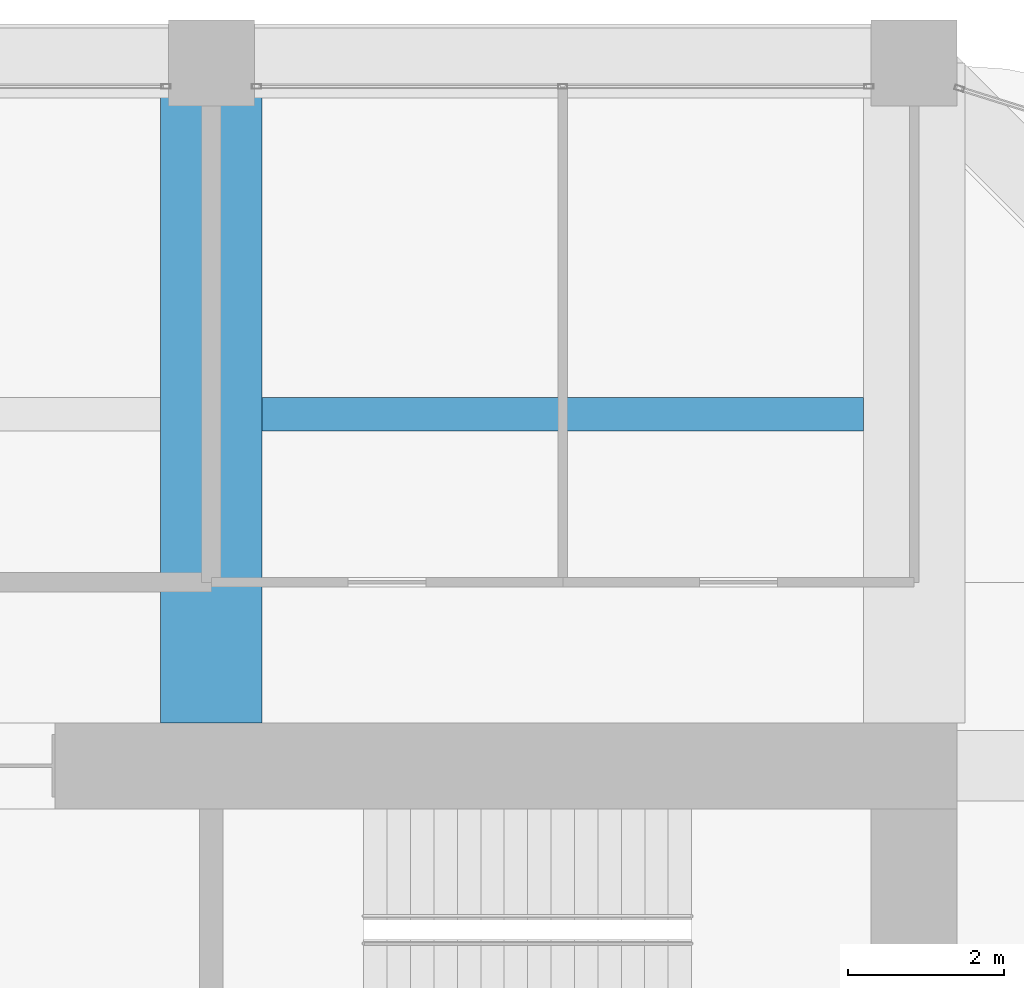
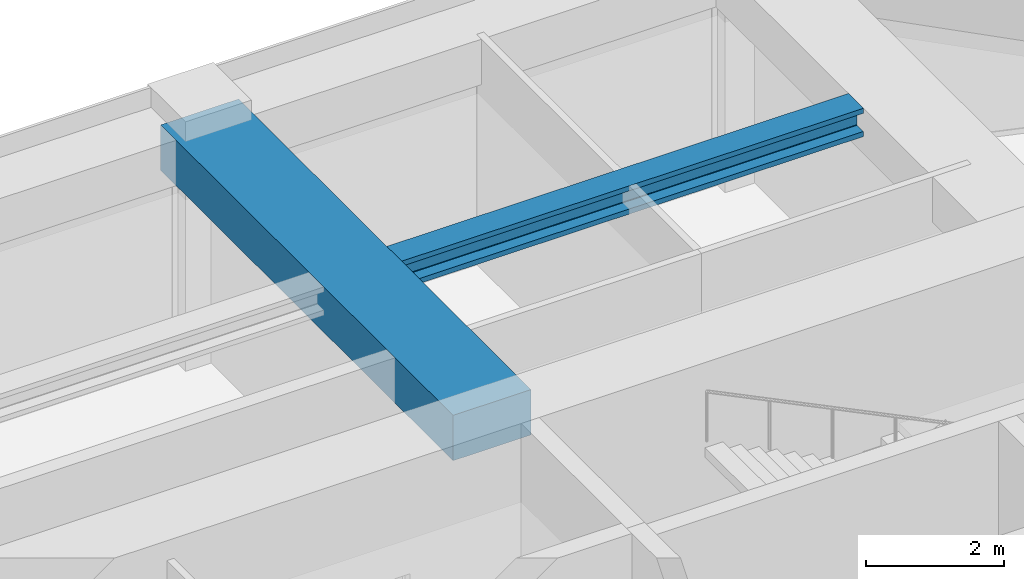
# One storey, part 34 of 44: 2 beams.
"""IFC4 building model written with IfcOpenShell, lengths in metres."""

from ifc_helpers import new_model, si_unit, direction, frame, origin, origin_2d, place, context, subcontext, project, spatial, rectangle, i_section, extrude, material, material_profile, profile_set, type_object, element, save


model = new_model("IFC4")

# Units and contexts
model_context = context("Model", 3, precision=1e-05, world=origin(), true_north=direction((0.0, 1.0)))
body_context = subcontext(model_context, "Body", "Model", "MODEL_VIEW")
ifc_project = project(units=[si_unit("LENGTHUNIT", "METRE"), si_unit("AREAUNIT", "SQUARE_METRE"), si_unit("VOLUMEUNIT", "CUBIC_METRE"), si_unit("PLANEANGLEUNIT", "RADIAN"), si_unit("MASSUNIT", "GRAM", prefix="KILO")], contexts=[model_context])

# Site, building, storey
site_placement = place(None, origin())
site = spatial("IfcSite", under=ifc_project, at=site_placement, CompositionType="ELEMENT")
building_placement = place(site_placement, origin())
building = spatial("IfcBuilding", under=site, at=building_placement, Name="Zorevar Civic Tower", CompositionType="ELEMENT")
storey_placement = place(building_placement, frame((0.0, 0.0, 307.39990234375)))
storey = spatial("IfcBuildingStorey", under=building, at=storey_placement, Name="L75", CompositionType="ELEMENT", Elevation=307.39990234375)

# Beams
ifc_material_1 = material(Name="Concrete C50/60", Category="concrete")
ifc_material_profile_1 = material_profile(ifc_material_1, rectangle(XDim=1.300048828125, YDim=0.800048828125, at=origin_2d()), Name="RC 1300x800")
ifc_profile_set_1 = profile_set([ifc_material_profile_1], Name="Concrete C50/60")
beam_type_1 = type_object("IfcBeamType", Name="Beam RC 1300x800", PredefinedType="BEAM", material=ifc_profile_set_1)
beam_1_placement = place(storey_placement, frame((36.0, 36.550048828125, 3.650146484375), z_axis=(0.0, 1.0, 0.0), x_axis=(-1.0, 0.0, 0.0)))
element("IfcBeam", 1, at=beam_1_placement, inside=storey, type_object=beam_type_1, Name="Girder RF", PredefinedType="BEAM", context=body_context, shape_type="SweptSolid", body=[
    extrude(rectangle(XDim=1.300048828125, YDim=0.800048828125, at=origin_2d()), origin(), (0.0, 0.0, 1.0), 8.449951171875),
])
ifc_material_2 = material(Name="Steel S460M (HISTAR 460)", Category="steel")
ifc_material_profile_2 = material_profile(ifc_material_2, i_section(OverallWidth=0.431884765625, OverallDepth=0.498046875, WebThickness=0.0556640625, FlangeThickness=0.0888671875, FilletRadius=0.014892578125, at=origin_2d()), Name="HD 400x744")
ifc_profile_set_2 = profile_set([ifc_material_profile_2], Name="Steel S460M (HISTAR 460)")
beam_type_2 = type_object("IfcBeamType", Name="Core bay beam HD 400x744", PredefinedType="BEAM", material=ifc_profile_set_2)
beam_2_placement = place(storey_placement, frame((36.64990234375, 40.5, 3.801025390625), z_axis=(1.0, 0.0, 0.0), x_axis=(0.0, 1.0, 0.0)))
element("IfcBeam", 2, at=beam_2_placement, inside=storey, type_object=beam_type_2, Name="Secondary beam RF", PredefinedType="BEAM", context=body_context, shape_type="SweptSolid", body=[
    extrude(i_section(OverallWidth=0.431884765625, OverallDepth=0.498046875, WebThickness=0.0556640625, FlangeThickness=0.0888671875, FilletRadius=0.014892578125, at=origin_2d()), origin(), (0.0, 0.0, 1.0), 7.7001953125),
])

save(model, "model.ifc")
